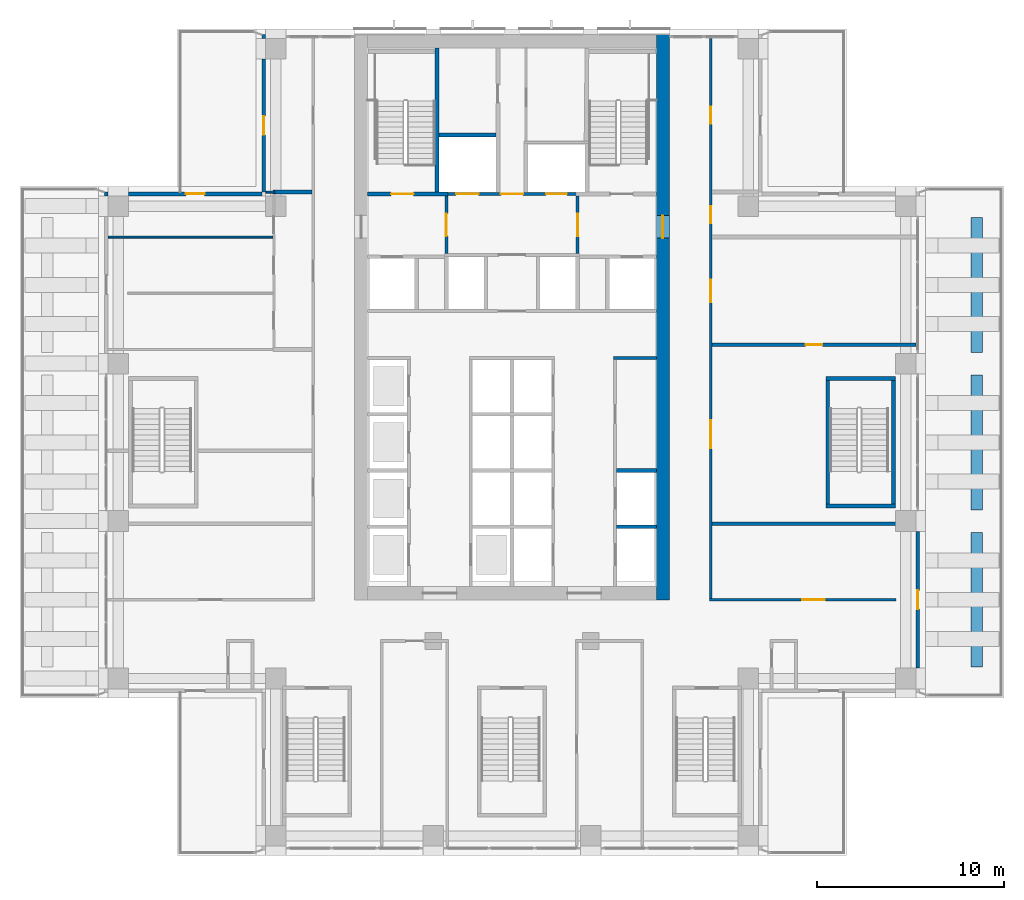
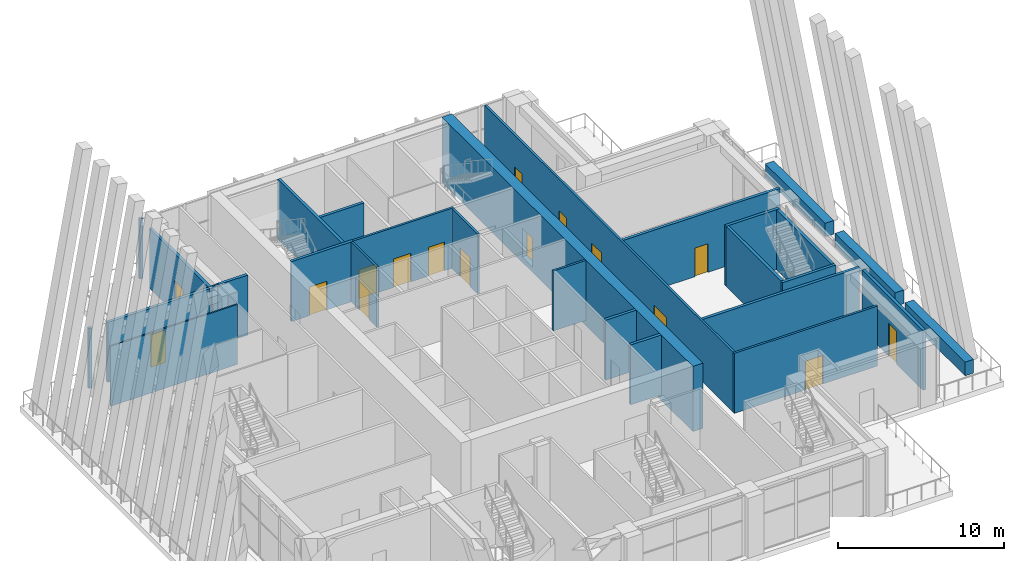
# One storey, part 11 of 19: 29 walls, 16 doors, 16 openings.
"""IFC4 building model written with IfcOpenShell, lengths in metres."""

from ifc_helpers import new_model, si_unit, direction, frame, frame_2d, origin, place, context, subcontext, project, spatial, rectangle, extrude, material, layer, layer_set, type_object, element, fill, save


model = new_model("IFC4")

# Units and contexts
model_context = context("Model", 3, precision=1e-05, world=origin(), true_north=direction((0.0, 1.0)))
body_context = subcontext(model_context, "Body", "Model", "MODEL_VIEW")
ifc_project = project(units=[si_unit("LENGTHUNIT", "METRE"), si_unit("AREAUNIT", "SQUARE_METRE"), si_unit("VOLUMEUNIT", "CUBIC_METRE"), si_unit("PLANEANGLEUNIT", "RADIAN"), si_unit("MASSUNIT", "GRAM", prefix="KILO")], contexts=[model_context])

# Site, building, storey
site_placement = place(None, origin())
site = spatial("IfcSite", under=ifc_project, at=site_placement, CompositionType="ELEMENT")
building_placement = place(site_placement, origin())
building = spatial("IfcBuilding", under=site, at=building_placement, Name="Vermilion Ogive Tower", CompositionType="ELEMENT")
storey_placement = place(building_placement, frame((0.0, 0.0, 128.300048828125)))
storey = spatial("IfcBuildingStorey", under=building, at=storey_placement, Name="L32", CompositionType="ELEMENT", Elevation=128.300048828125)

# Walls
ifc_material_1 = material(Name="Gypsum board partition on steel studs", Category="steel")
ifc_layer_1 = layer(ifc_material_1, 0.10009765625)
ifc_layer_set_1 = layer_set([ifc_layer_1], Name="Partition 100 bath")
wall_type_1 = type_object("IfcWallType", Name="Partition 100 bath", PredefinedType="PARTITIONING", material=ifc_layer_set_1)
wall_1_placement = place(storey_placement, frame((-21.550048828125, 10.949951171875, 0.0), z_axis=(0.0, 0.0, 1.0), x_axis=(1.0, 0.0, 0.0)))
element("IfcWall", 1, at=wall_1_placement, inside=storey, type_object=wall_type_1, Name="L32-FS-W-W015", PredefinedType="PARTITIONING", context=body_context, shape_type="SweptSolid", body=[
    extrude(rectangle(XDim=8.800048828125, YDim=0.10009765625, at=frame_2d((4.39990234375, 0.0))), origin(), (0.0, 0.0, 1.0), 4.39990234375),
])
wall_2_placement = place(storey_placement, frame((-13.14990234375, 13.35009765625, 0.0), z_axis=(0.0, 0.0, 1.0), x_axis=(1.0, 0.0, 0.0)))
element("IfcWall", 2, at=wall_2_placement, inside=storey, type_object=wall_type_1, Name="L32-FS-W-W017", PredefinedType="PARTITIONING", context=body_context, shape_type="SweptSolid", body=[
    extrude(rectangle(XDim=0.5, YDim=0.10009765625, at=frame_2d((0.25, 0.0))), origin(), (0.0, 0.0, 1.0), 4.39990234375),
])

# Wall, opening, door
ifc_material_2 = material(Name="Gypsum board partition on steel studs", Category="steel")
ifc_layer_2 = layer(ifc_material_2, 0.14990234375)
ifc_layer_set_2 = layer_set([ifc_layer_2], Name="Partition 150 corridor")
wall_type_2 = type_object("IfcWallType", Name="Partition 150 corridor", PredefinedType="PARTITIONING", material=ifc_layer_set_2)
wall_3_placement = place(storey_placement, frame((10.52490234375, -8.39990234375, 0.0), z_axis=(0.0, 0.0, 1.0), x_axis=(1.0, 0.0, 0.0)))
wall_3 = element("IfcWall", 3, at=wall_3_placement, inside=storey, type_object=wall_type_2, Name="L32-FS-W-W006", PredefinedType="PARTITIONING", context=body_context, shape_type="SweptSolid", body=[
    extrude(rectangle(XDim=9.9501953125, YDim=0.14990234375, at=frame_2d((4.97509765625, 0.0))), origin(), (0.0, 0.0, 1.0), 4.39990234375),
])
opening_1_placement = place(wall_3_placement, frame((4.9501953125, 0.0, 0.0)))
opening_1 = element("IfcOpeningElement", 4, at=opening_1_placement, cuts=wall_3, Name="Opening L32S002", PredefinedType="OPENING", context=body_context, shape_type="SweptSolid", body=[
    extrude(rectangle(XDim=1.199951171875, YDim=2.10009765625, at=frame_2d((0.60009765625, 1.050048828125))), frame((0.0, 0.0849609375, 0.0), z_axis=(0.0, -1.0, 0.0), x_axis=(1.0, 0.0, 0.0)), (0.0, 0.0, 1.0), 0.169921875),
])
ifc_material_3 = material(Name="Timber door leaf", Category="wood")
door_type_1 = type_object("IfcDoorType", Name="Fire door 1200 x 2100 FD30", OperationType="SINGLE_SWING_LEFT", PredefinedType="DOOR", material=ifc_material_3)
door_1_placement = place(opening_1_placement, origin())
door_1 = element("IfcDoor", 5, at=door_1_placement, inside=storey, type_object=door_type_1, Name="L32-FS-D-D002", OperationType="SINGLE_SWING_LEFT", OverallHeight=2.10009765625, OverallWidth=1.199951171875, PredefinedType="DOOR", context=body_context, shape_type="SweptSolid", body=[
    extrude(rectangle(XDim=1.199951171875, YDim=2.10009765625, at=frame_2d((0.60009765625, 1.050048828125))), frame((0.0, 0.02490234375, 0.0), z_axis=(0.0, -1.0, 0.0), x_axis=(1.0, 0.0, 0.0)), (0.0, 0.0, 1.0), 0.050048828125),
])
fill(opening_1, door_1)

# Wall, openings, doors
wall_4_placement = place(storey_placement, frame((10.60009765625, -8.324951171875, 0.0), z_axis=(0.0, 0.0, 1.0), x_axis=(0.0, 1.0, 0.0)))
wall_4 = element("IfcWall", 6, at=wall_4_placement, inside=storey, type_object=wall_type_2, Name="L32-FS-W-W028", PredefinedType="PARTITIONING", context=body_context, shape_type="SweptSolid", body=[
    extrude(rectangle(XDim=29.875, YDim=0.14990234375, at=frame_2d((14.9375, 0.0))), origin(), (0.0, 0.0, 1.0), 4.39990234375),
])
opening_2_placement = place(wall_4_placement, frame((8.005859375, 0.0, 0.0)))
opening_2 = element("IfcOpeningElement", 7, at=opening_2_placement, cuts=wall_4, Name="Opening L32S009", PredefinedType="OPENING", context=body_context, shape_type="SweptSolid", body=[
    extrude(rectangle(XDim=1.5, YDim=2.10009765625, at=frame_2d((0.75, 1.050048828125))), frame((0.0, 0.0849609375, 0.0), z_axis=(0.0, -1.0, 0.0), x_axis=(1.0, 0.0, 0.0)), (0.0, 0.0, 1.0), 0.169921875),
])
opening_3_placement = place(wall_4_placement, frame((15.805908203125, 0.0, 0.0)))
opening_3 = element("IfcOpeningElement", 8, at=opening_3_placement, cuts=wall_4, Name="Opening L32S011", PredefinedType="OPENING", context=body_context, shape_type="SweptSolid", body=[
    extrude(rectangle(XDim=1.199951171875, YDim=2.10009765625, at=frame_2d((0.60009765625, 1.050048828125))), frame((0.0, 0.0849609375, 0.0), z_axis=(0.0, -1.0, 0.0), x_axis=(1.0, 0.0, 0.0)), (0.0, 0.0, 1.0), 0.169921875),
])
opening_4_placement = place(wall_4_placement, frame((20.02490234375, 0.0, 0.0)))
opening_4 = element("IfcOpeningElement", 9, at=opening_4_placement, cuts=wall_4, Name="Opening L32S012", PredefinedType="OPENING", context=body_context, shape_type="SweptSolid", body=[
    extrude(rectangle(XDim=0.89990234375, YDim=2.10009765625, at=frame_2d((0.449951171875, 1.050048828125))), frame((0.0, 0.0849609375, 0.0), z_axis=(0.0, -1.0, 0.0), x_axis=(1.0, 0.0, 0.0)), (0.0, 0.0, 1.0), 0.169921875),
])
opening_5_placement = place(wall_4_placement, frame((25.324951171875, 0.0, 0.0)))
opening_5 = element("IfcOpeningElement", 10, at=opening_5_placement, cuts=wall_4, Name="Opening L32S017", PredefinedType="OPENING", context=body_context, shape_type="SweptSolid", body=[
    extrude(rectangle(XDim=0.89990234375, YDim=2.10009765625, at=frame_2d((0.449951171875, 1.050048828125))), frame((0.0, 0.0849609375, 0.0), z_axis=(0.0, -1.0, 0.0), x_axis=(1.0, 0.0, 0.0)), (0.0, 0.0, 1.0), 0.169921875),
])
ifc_material_4 = material(Name="Timber door leaf", Category="wood")
door_type_2 = type_object("IfcDoorType", Name="Assembly door 1500 x 2100 FD30", OperationType="DOUBLE_DOOR_SINGLE_SWING", PredefinedType="DOOR", material=ifc_material_4)
door_2_placement = place(opening_2_placement, origin())
door_2 = element("IfcDoor", 11, at=door_2_placement, inside=storey, type_object=door_type_2, Name="L32-FS-D-D009", OperationType="DOUBLE_DOOR_SINGLE_SWING", OverallHeight=2.10009765625, OverallWidth=1.5, PredefinedType="DOOR", context=body_context, shape_type="SweptSolid", body=[
    extrude(rectangle(XDim=1.5, YDim=2.10009765625, at=frame_2d((0.75, 1.050048828125))), frame((0.0, 0.02490234375, 0.0), z_axis=(0.0, -1.0, 0.0), x_axis=(1.0, 0.0, 0.0)), (0.0, 0.0, 1.0), 0.050048828125),
])
fill(opening_2, door_2)
ifc_material_5 = material(Name="Timber door leaf", Category="wood")
door_type_3 = type_object("IfcDoorType", Name="Room door 1200 x 2100 FD30", OperationType="SINGLE_SWING_LEFT", PredefinedType="DOOR", material=ifc_material_5)
door_3_placement = place(opening_3_placement, origin())
door_3 = element("IfcDoor", 12, at=door_3_placement, inside=storey, type_object=door_type_3, Name="L32-FS-D-D011", OperationType="SINGLE_SWING_RIGHT", OverallHeight=2.10009765625, OverallWidth=1.199951171875, PredefinedType="DOOR", context=body_context, shape_type="SweptSolid", body=[
    extrude(rectangle(XDim=1.199951171875, YDim=2.10009765625, at=frame_2d((0.60009765625, 1.050048828125))), frame((0.0, 0.02490234375, 0.0), z_axis=(0.0, -1.0, 0.0), x_axis=(1.0, 0.0, 0.0)), (0.0, 0.0, 1.0), 0.050048828125),
])
fill(opening_3, door_3)
ifc_material_6 = material(Name="Timber door leaf", Category="wood")
door_type_4 = type_object("IfcDoorType", Name="Room door 900 x 2100 FD30", OperationType="SINGLE_SWING_LEFT", PredefinedType="DOOR", material=ifc_material_6)
door_4_placement = place(opening_4_placement, origin())
door_4 = element("IfcDoor", 13, at=door_4_placement, inside=storey, type_object=door_type_4, Name="L32-FS-D-D012", OperationType="SINGLE_SWING_LEFT", OverallHeight=2.10009765625, OverallWidth=0.89990234375, PredefinedType="DOOR", context=body_context, shape_type="SweptSolid", body=[
    extrude(rectangle(XDim=0.89990234375, YDim=2.10009765625, at=frame_2d((0.449951171875, 1.050048828125))), frame((0.0, 0.02490234375, 0.0), z_axis=(0.0, -1.0, 0.0), x_axis=(1.0, 0.0, 0.0)), (0.0, 0.0, 1.0), 0.050048828125),
])
fill(opening_4, door_4)
door_5_placement = place(opening_5_placement, origin())
door_5 = element("IfcDoor", 14, at=door_5_placement, inside=storey, type_object=door_type_4, Name="L32-FS-D-D017", OperationType="SINGLE_SWING_RIGHT", OverallHeight=2.10009765625, OverallWidth=0.89990234375, PredefinedType="DOOR", context=body_context, shape_type="SweptSolid", body=[
    extrude(rectangle(XDim=0.89990234375, YDim=2.10009765625, at=frame_2d((0.449951171875, 1.050048828125))), frame((0.0, 0.02490234375, 0.0), z_axis=(0.0, -1.0, 0.0), x_axis=(1.0, 0.0, 0.0)), (0.0, 0.0, 1.0), 0.050048828125),
])
fill(opening_5, door_5)

# Wall
wall_5_placement = place(storey_placement, frame((5.425048828125, 4.5, 0.0), z_axis=(0.0, 0.0, 1.0), x_axis=(1.0, 0.0, 0.0)))
element("IfcWall", 15, at=wall_5_placement, inside=storey, type_object=wall_type_2, Name="L32-CK-W-W011", PredefinedType="PARTITIONING", context=body_context, shape_type="SweptSolid", body=[
    extrude(rectangle(XDim=2.27392578125, YDim=0.14990234375, at=frame_2d((1.136962890625, 0.0))), origin(), (0.0, 0.0, 1.0), 4.39990234375),
])

# Wall, openings, doors
wall_6_placement = place(storey_placement, frame((-3.574951171875, 13.25, 0.0), z_axis=(0.0, 0.0, 1.0), x_axis=(1.0, 0.0, 0.0)))
wall_6 = element("IfcWall", 16, at=wall_6_placement, inside=storey, type_object=wall_type_2, Name="L32-CK-W-W017", PredefinedType="PARTITIONING", context=body_context, shape_type="SweptSolid", body=[
    extrude(rectangle(XDim=7.14990234375, YDim=0.14990234375, at=frame_2d((3.574951171875, 0.0))), origin(), (0.0, 0.0, 1.0), 4.39990234375),
])
opening_6_placement = place(wall_6_placement, frame((0.599853515625, 0.0, 0.0)))
opening_6 = element("IfcOpeningElement", 17, at=opening_6_placement, cuts=wall_6, Name="Opening DAN025", PredefinedType="OPENING", context=body_context, shape_type="SweptSolid", body=[
    extrude(rectangle(XDim=1.199951171875, YDim=2.10009765625, at=frame_2d((0.60009765625, 1.050048828125))), frame((0.0, 0.0849609375, 0.0), z_axis=(0.0, -1.0, 0.0), x_axis=(1.0, 0.0, 0.0)), (0.0, 0.0, 1.0), 0.169921875),
])
opening_7_placement = place(wall_6_placement, frame((5.39990234375, 0.0, 0.0)))
opening_7 = element("IfcOpeningElement", 18, at=opening_7_placement, cuts=wall_6, Name="Opening DAN016", PredefinedType="OPENING", context=body_context, shape_type="SweptSolid", body=[
    extrude(rectangle(XDim=1.10009765625, YDim=2.10009765625, at=frame_2d((0.550048828125, 1.050048828125))), frame((0.0, 0.0849609375, 0.0), z_axis=(0.0, -1.0, 0.0), x_axis=(1.0, 0.0, 0.0)), (0.0, 0.0, 1.0), 0.169921875),
])
opening_8_placement = place(wall_6_placement, frame((2.974853515625, 0.0, 0.0)))
opening_8 = element("IfcOpeningElement", 19, at=opening_8_placement, cuts=wall_6, Name="Opening DAN005", PredefinedType="OPENING", context=body_context, shape_type="SweptSolid", body=[
    extrude(rectangle(XDim=1.199951171875, YDim=2.10009765625, at=frame_2d((0.60009765625, 1.050048828125))), frame((0.0, 0.0849609375, 0.0), z_axis=(0.0, -1.0, 0.0), x_axis=(1.0, 0.0, 0.0)), (0.0, 0.0, 1.0), 0.169921875),
])
ifc_material_7 = material(Name="Stainless steel", Category="steel")
door_type_5 = type_object("IfcDoorType", Name="Lift landing door 1100 x 2100", OperationType="SLIDING_TO_LEFT", PredefinedType="DOOR", material=ifc_material_7)
door_6_placement = place(opening_7_placement, origin())
door_6 = element("IfcDoor", 20, at=door_6_placement, inside=storey, type_object=door_type_5, Name="L32-CK-D-D020", OperationType="SLIDING_TO_LEFT", OverallHeight=2.10009765625, OverallWidth=1.10009765625, PredefinedType="DOOR", context=body_context, shape_type="SweptSolid", body=[
    extrude(rectangle(XDim=1.10009765625, YDim=2.10009765625, at=frame_2d((0.550048828125, 1.050048828125))), frame((0.0, 0.02490234375, 0.0), z_axis=(0.0, -1.0, 0.0), x_axis=(1.0, 0.0, 0.0)), (0.0, 0.0, 1.0), 0.050048828125),
])
fill(opening_7, door_6)
ifc_material_8 = material(Name="Stainless steel", Category="steel")
door_type_6 = type_object("IfcDoorType", Name="Lift landing door 1200 x 2100", OperationType="SLIDING_TO_LEFT", PredefinedType="DOOR", material=ifc_material_8)
door_7_placement = place(opening_6_placement, origin())
door_7 = element("IfcDoor", 21, at=door_7_placement, inside=storey, type_object=door_type_6, Name="L32-CK-D-D019", OperationType="SLIDING_TO_RIGHT", OverallHeight=2.10009765625, OverallWidth=1.199951171875, PredefinedType="DOOR", context=body_context, shape_type="SweptSolid", body=[
    extrude(rectangle(XDim=1.199951171875, YDim=2.10009765625, at=frame_2d((0.60009765625, 1.050048828125))), frame((0.0, 0.02490234375, 0.0), z_axis=(0.0, -1.0, 0.0), x_axis=(1.0, 0.0, 0.0)), (0.0, 0.0, 1.0), 0.050048828125),
])
fill(opening_6, door_7)
ifc_material_9 = material(Name="Timber door leaf", Category="wood")
door_type_7 = type_object("IfcDoorType", Name="Service door 1200 x 2100 FD60", OperationType="SINGLE_SWING_LEFT", PredefinedType="DOOR", material=ifc_material_9)
door_8_placement = place(opening_8_placement, origin())
door_8 = element("IfcDoor", 22, at=door_8_placement, inside=storey, type_object=door_type_7, Name="L32-CK-D-D021", OperationType="SINGLE_SWING_RIGHT", OverallHeight=2.10009765625, OverallWidth=1.199951171875, PredefinedType="DOOR", context=body_context, shape_type="SweptSolid", body=[
    extrude(rectangle(XDim=1.199951171875, YDim=2.10009765625, at=frame_2d((0.60009765625, 1.050048828125))), frame((0.0, 0.02490234375, 0.0), z_axis=(0.0, -1.0, 0.0), x_axis=(1.0, 0.0, 0.0)), (0.0, 0.0, 1.0), 0.050048828125),
])
fill(opening_8, door_8)

# Wall, opening, door
wall_7_placement = place(storey_placement, frame((-3.5, 10.074951171875, 0.0), z_axis=(0.0, 0.0, 1.0), x_axis=(0.0, 1.0, 0.0)))
wall_7 = element("IfcWall", 23, at=wall_7_placement, inside=storey, type_object=wall_type_2, Name="L32-CK-W-W025", PredefinedType="PARTITIONING", context=body_context, shape_type="SweptSolid", body=[
    extrude(rectangle(XDim=3.074951171875, YDim=0.14990234375, at=frame_2d((1.53759765625, 0.0))), origin(), (0.0, 0.0, 1.0), 4.39990234375),
])
opening_9_placement = place(wall_7_placement, frame((0.925048828125, 0.0, 0.0)))
opening_9 = element("IfcOpeningElement", 24, at=opening_9_placement, cuts=wall_7, Name="Opening DAN001", PredefinedType="OPENING", context=body_context, shape_type="SweptSolid", body=[
    extrude(rectangle(XDim=1.199951171875, YDim=2.10009765625, at=frame_2d((0.60009765625, 1.050048828125))), frame((0.0, 0.0849609375, 0.0), z_axis=(0.0, -1.0, 0.0), x_axis=(1.0, 0.0, 0.0)), (0.0, 0.0, 1.0), 0.169921875),
])
ifc_material_10 = material(Name="Timber door leaf", Category="wood")
door_type_8 = type_object("IfcDoorType", Name="Lobby door 1200 x 2100 FD60S", OperationType="SINGLE_SWING_LEFT", PredefinedType="DOOR", material=ifc_material_10)
door_9_placement = place(opening_9_placement, origin())
door_9 = element("IfcDoor", 25, at=door_9_placement, inside=storey, type_object=door_type_8, Name="L32-CK-D-D024", OperationType="SINGLE_SWING_RIGHT", OverallHeight=2.10009765625, OverallWidth=1.199951171875, PredefinedType="DOOR", context=body_context, shape_type="SweptSolid", body=[
    extrude(rectangle(XDim=1.199951171875, YDim=2.10009765625, at=frame_2d((0.60009765625, 1.050048828125))), frame((0.0, 0.02490234375, 0.0), z_axis=(0.0, -1.0, 0.0), x_axis=(1.0, 0.0, 0.0)), (0.0, 0.0, 1.0), 0.050048828125),
])
fill(opening_9, door_9)

wall_8_placement = place(storey_placement, frame((3.5, 10.074951171875, 0.0), z_axis=(0.0, 0.0, 1.0), x_axis=(0.0, 1.0, 0.0)))
wall_8 = element("IfcWall", 26, at=wall_8_placement, inside=storey, type_object=wall_type_2, Name="L32-CK-W-W035", PredefinedType="PARTITIONING", context=body_context, shape_type="SweptSolid", body=[
    extrude(rectangle(XDim=3.074951171875, YDim=0.14990234375, at=frame_2d((1.53759765625, 0.0))), origin(), (0.0, 0.0, 1.0), 4.39990234375),
])
opening_10_placement = place(wall_8_placement, frame((0.925048828125, 0.0, 0.0)))
opening_10 = element("IfcOpeningElement", 27, at=opening_10_placement, cuts=wall_8, Name="Opening DAN002", PredefinedType="OPENING", context=body_context, shape_type="SweptSolid", body=[
    extrude(rectangle(XDim=1.199951171875, YDim=2.10009765625, at=frame_2d((0.60009765625, 1.050048828125))), frame((0.0, 0.0849609375, 0.0), z_axis=(0.0, -1.0, 0.0), x_axis=(1.0, 0.0, 0.0)), (0.0, 0.0, 1.0), 0.169921875),
])
door_10_placement = place(opening_10_placement, origin())
door_10 = element("IfcDoor", 28, at=door_10_placement, inside=storey, type_object=door_type_8, Name="L32-CK-D-D025", OperationType="SINGLE_SWING_LEFT", OverallHeight=2.10009765625, OverallWidth=1.199951171875, PredefinedType="DOOR", context=body_context, shape_type="SweptSolid", body=[
    extrude(rectangle(XDim=1.199951171875, YDim=2.10009765625, at=frame_2d((0.60009765625, 1.050048828125))), frame((0.0, 0.02490234375, 0.0), z_axis=(0.0, -1.0, 0.0), x_axis=(1.0, 0.0, 0.0)), (0.0, 0.0, 1.0), 0.050048828125),
])
fill(opening_10, door_10)

# Wall
ifc_material_11 = material(Name="Gypsum board partition on steel studs", Category="steel")
ifc_layer_3 = layer(ifc_material_11, 0.199951171875)
ifc_layer_set_3 = layer_set([ifc_layer_3], Name="Partition 200 party")
wall_type_3 = type_object("IfcWallType", Name="Partition 200 party", PredefinedType="PARTITIONING", material=ifc_layer_set_3)
wall_9_placement = place(storey_placement, frame((10.675048828125, -4.35009765625, 0.0), z_axis=(0.0, 0.0, 1.0), x_axis=(1.0, 0.0, 0.0)))
element("IfcWall", 29, at=wall_9_placement, inside=storey, type_object=wall_type_3, Name="L32-FS-W-W008", PredefinedType="PARTITIONING", context=body_context, shape_type="SweptSolid", body=[
    extrude(rectangle(XDim=10.875, YDim=0.199951171875, at=frame_2d((5.4375, 0.0))), origin(), (0.0, 0.0, 1.0), 4.39990234375),
])

# Wall, opening, door
wall_10_placement = place(storey_placement, frame((10.675048828125, 5.2119140625, 0.0), z_axis=(0.0, 0.0, 1.0), x_axis=(1.0, 0.0, 0.0)))
wall_10 = element("IfcWall", 30, at=wall_10_placement, inside=storey, type_object=wall_type_3, Name="L32-FS-W-W013", PredefinedType="PARTITIONING", context=body_context, shape_type="SweptSolid", body=[
    extrude(rectangle(XDim=10.875, YDim=0.199951171875, at=frame_2d((5.4375, 0.0))), origin(), (0.0, 0.0, 1.0), 4.39990234375),
])
opening_11_placement = place(wall_10_placement, frame((4.987548828125, 0.0, 0.0)))
opening_11 = element("IfcOpeningElement", 31, at=opening_11_placement, cuts=wall_10, Name="Opening L32S010", PredefinedType="OPENING", context=body_context, shape_type="SweptSolid", body=[
    extrude(rectangle(XDim=0.89990234375, YDim=2.10009765625, at=frame_2d((0.449951171875, 1.050048828125))), frame((0.0, 0.10986328125, 0.0), z_axis=(0.0, -1.0, 0.0), x_axis=(1.0, 0.0, 0.0)), (0.0, 0.0, 1.0), 0.219970703125),
])
door_11_placement = place(opening_11_placement, origin())
door_11 = element("IfcDoor", 32, at=door_11_placement, inside=storey, type_object=door_type_4, Name="L32-FS-D-D010", OperationType="SINGLE_SWING_RIGHT", OverallHeight=2.10009765625, OverallWidth=0.89990234375, PredefinedType="DOOR", context=body_context, shape_type="SweptSolid", body=[
    extrude(rectangle(XDim=0.89990234375, YDim=2.10009765625, at=frame_2d((0.449951171875, 1.050048828125))), frame((0.0, 0.02490234375, 0.0), z_axis=(0.0, -1.0, 0.0), x_axis=(1.0, 0.0, 0.0)), (0.0, 0.0, 1.0), 0.050048828125),
])
fill(opening_11, door_11)

# Walls
wall_11_placement = place(storey_placement, frame((-12.75, 13.35009765625, 0.0), z_axis=(0.0, 0.0, 1.0), x_axis=(1.0, 0.0, 0.0)))
element("IfcWall", 33, at=wall_11_placement, inside=storey, type_object=wall_type_3, Name="L32-FS-W-W018", PredefinedType="PARTITIONING", context=body_context, shape_type="SweptSolid", body=[
    extrude(rectangle(XDim=2.074951171875, YDim=0.199951171875, at=frame_2d((1.03759765625, 0.0))), origin(), (0.0, 0.0, 1.0), 4.39990234375),
])
for number, where, z_axis, x_axis, name in (
    (34, (5.574951171875, -4.5, 0.0), (0.0, 0.0, 1.0), (1.0, 0.0, 0.0), "L32-CK-W-W003"),
    (35, (5.574951171875, -1.5, 0.0), (0.0, 0.0, 1.0), (1.0, 0.0, 0.0), "L32-CK-W-W006"),
):
    element("IfcWall", number, at=place(storey_placement, frame(where, z_axis=z_axis, x_axis=x_axis)), inside=storey, type_object=wall_type_3, Name=name, PredefinedType="PARTITIONING", context=body_context, shape_type="SweptSolid", body=[
        extrude(rectangle(XDim=2.1240234375, YDim=0.199951171875, at=frame_2d((1.06201171875, 0.0))), origin(), (0.0, 0.0, 1.0), 4.39990234375),
    ])
wall_12_placement = place(storey_placement, frame((-3.89990234375, 16.39990234375, 0.0), z_axis=(0.0, 0.0, 1.0), x_axis=(1.0, 0.0, 0.0)))
element("IfcWall", 36, at=wall_12_placement, inside=storey, type_object=wall_type_3, Name="L32-CK-W-W020", PredefinedType="PARTITIONING", context=body_context, shape_type="SweptSolid", body=[
    extrude(rectangle(XDim=3.0498046875, YDim=0.199951171875, at=frame_2d((1.52490234375, 0.0))), origin(), (0.0, 0.0, 1.0), 4.39990234375),
])

# Wall, opening, door
ifc_material_12 = material(Name="Concrete B60", Category="concrete")
ifc_layer_4 = layer(ifc_material_12, 0.199951171875)
ifc_layer_set_4 = layer_set([ifc_layer_4], Name="Stair shaft wall 200 Concrete B60")
wall_type_4 = type_object("IfcWallType", Name="Stair shaft wall 200 Concrete B60", PredefinedType="SOLIDWALL", material=ifc_layer_set_4)
wall_13_placement = place(storey_placement, frame((8.050048828125, -8.39990234375, -0.400146484375), z_axis=(0.0, 0.0, 1.0), x_axis=(0.0, 1.0, 0.0)))
wall_13 = element("IfcWall", 37, at=wall_13_placement, inside=storey, type_object=wall_type_4, Name="L32-CORE-E", PredefinedType="SOLIDWALL", context=body_context, shape_type="SweptSolid", body=[
    extrude(rectangle(XDim=30.14990234375, YDim=0.699951171875, at=frame_2d((15.074951171875, 0.0))), origin(), (0.0, 0.0, 1.0), 4.800048828125),
])
opening_12_placement = place(wall_13_placement, frame((19.300048828125, 0.0, 0.39990234375)))
opening_12 = element("IfcOpeningElement", 38, at=opening_12_placement, cuts=wall_13, Name="Opening DCB001", PredefinedType="OPENING", context=body_context, shape_type="SweptSolid", body=[
    extrude(rectangle(XDim=1.199951171875, YDim=2.10009765625, at=frame_2d((0.60009765625, 1.050048828125))), frame((0.0, 0.35986328125, 0.0), z_axis=(0.0, -1.0, 0.0), x_axis=(1.0, 0.0, 0.0)), (0.0, 0.0, 1.0), 0.719970703125),
])
ifc_material_13 = material(Name="Timber door leaf", Category="wood")
door_type_9 = type_object("IfcDoorType", Name="Link door 1200 x 2100 FD60S", OperationType="SINGLE_SWING_LEFT", PredefinedType="DOOR", material=ifc_material_13)
door_12_placement = place(opening_12_placement, origin())
door_12 = element("IfcDoor", 39, at=door_12_placement, inside=storey, type_object=door_type_9, Name="L32-CK-XD4", OperationType="SINGLE_SWING_LEFT", OverallHeight=2.10009765625, OverallWidth=1.199951171875, PredefinedType="DOOR", context=body_context, shape_type="SweptSolid", body=[
    extrude(rectangle(XDim=1.199951171875, YDim=2.10009765625, at=frame_2d((0.60009765625, 1.050048828125))), frame((0.0, 0.02490234375, 0.0), z_axis=(0.0, -1.0, 0.0), x_axis=(1.0, 0.0, 0.0)), (0.0, 0.0, 1.0), 0.050048828125),
])
fill(opening_12, door_12)

wall_14_placement = place(storey_placement, frame((-7.698974609375, 13.25, 0.0), z_axis=(0.0, 0.0, 1.0), x_axis=(1.0, 0.0, 0.0)))
wall_14 = element("IfcWall", 40, at=wall_14_placement, inside=storey, type_object=wall_type_4, Name="L32-CK-W-W016", PredefinedType="SOLIDWALL", context=body_context, shape_type="SweptSolid", body=[
    extrude(rectangle(XDim=4.27392578125, YDim=0.199951171875, at=frame_2d((2.136962890625, 0.0))), origin(), (0.0, 0.0, 1.0), 4.39990234375),
])
opening_13_placement = place(wall_14_placement, frame((1.2490234375, 0.0, 0.0)))
opening_13 = element("IfcOpeningElement", 41, at=opening_13_placement, cuts=wall_14, Name="Opening DAN009", PredefinedType="OPENING", context=body_context, shape_type="SweptSolid", body=[
    extrude(rectangle(XDim=1.199951171875, YDim=2.10009765625, at=frame_2d((0.60009765625, 1.050048828125))), frame((0.0, 0.10986328125, 0.0), z_axis=(0.0, -1.0, 0.0), x_axis=(1.0, 0.0, 0.0)), (0.0, 0.0, 1.0), 0.219970703125),
])
ifc_material_14 = material(Name="Timber door leaf", Category="wood")
door_type_10 = type_object("IfcDoorType", Name="Stair door 1200 x 2100 FD60S", OperationType="SINGLE_SWING_LEFT", PredefinedType="DOOR", material=ifc_material_14)
door_13_placement = place(opening_13_placement, origin())
door_13 = element("IfcDoor", 42, at=door_13_placement, inside=storey, type_object=door_type_10, Name="L32-CK-D-D013", OperationType="SINGLE_SWING_LEFT", OverallHeight=2.10009765625, OverallWidth=1.199951171875, PredefinedType="DOOR", context=body_context, shape_type="SweptSolid", body=[
    extrude(rectangle(XDim=1.199951171875, YDim=2.10009765625, at=frame_2d((0.60009765625, 1.050048828125))), frame((0.0, 0.02490234375, 0.0), z_axis=(0.0, -1.0, 0.0), x_axis=(1.0, 0.0, 0.0)), (0.0, 0.0, 1.0), 0.050048828125),
])
fill(opening_13, door_13)

# Walls
wall_15_placement = place(storey_placement, frame((-4.0, 13.35009765625, 0.0), z_axis=(0.0, 0.0, 1.0), x_axis=(0.0, 1.0, 0.0)))
element("IfcWall", 43, at=wall_15_placement, inside=storey, type_object=wall_type_4, Name="L32-CK-W-W023", PredefinedType="SOLIDWALL", context=body_context, shape_type="SweptSolid", body=[
    extrude(rectangle(XDim=7.698974609375, YDim=0.199951171875, at=frame_2d((3.849609375, 0.0))), origin(), (0.0, 0.0, 1.0), 4.39990234375),
])
for number, where, z_axis, x_axis, name in (
    (44, (16.75, -3.39990234375, 0.0), (0.0, 0.0, 1.0), (1.0, 0.0, 0.0), "L32-SW-ST8-S1"),
    (45, (16.75, 3.39990234375, 0.0), (0.0, 0.0, 1.0), (1.0, 0.0, 0.0), "L32-SW-ST8-N1"),
):
    element("IfcWall", number, at=place(storey_placement, frame(where, z_axis=z_axis, x_axis=x_axis)), inside=storey, type_object=wall_type_4, Name=name, PredefinedType="SOLIDWALL", context=body_context, shape_type="SweptSolid", body=[
        extrude(rectangle(XDim=3.699951171875, YDim=0.199951171875, at=frame_2d((1.85009765625, 0.0))), origin(), (0.0, 0.0, 1.0), 4.39990234375),
    ])
for number, where, z_axis, x_axis, name in (
    (46, (16.85009765625, -3.300048828125, 0.0), (0.0, 0.0, 1.0), (0.0, 1.0, 0.0), "L32-SW-ST8-W1"),
    (47, (20.35009765625, -3.300048828125, 0.0), (0.0, 0.0, 1.0), (0.0, 1.0, 0.0), "L32-SW-ST8-E1"),
):
    element("IfcWall", number, at=place(storey_placement, frame(where, z_axis=z_axis, x_axis=x_axis)), inside=storey, type_object=wall_type_4, Name=name, PredefinedType="SOLIDWALL", context=body_context, shape_type="SweptSolid", body=[
        extrude(rectangle(XDim=6.60009765625, YDim=0.199951171875, at=frame_2d((3.300048828125, 0.0))), origin(), (0.0, 0.0, 1.0), 4.39990234375),
    ])
ifc_material_15 = material(Name="Concrete B40", Category="concrete")
ifc_layer_5 = layer(ifc_material_15, 0.60009765625)
ifc_layer_set_5 = layer_set([ifc_layer_5], Name="Terrace planter")
wall_type_5 = type_object("IfcWallType", Name="Terrace planter", PredefinedType="USERDEFINED", material=ifc_layer_set_5)
wall_16_placement = place(storey_placement, frame((24.800048828125, 12.0, 0.0), z_axis=(0.0, 0.0, 1.0), x_axis=(0.0, -1.0, 0.0)))
element("IfcWall", 48, at=wall_16_placement, inside=storey, type_object=wall_type_5, Name="Terrace planter 5.1.1", ObjectType="PLANTER", PredefinedType="USERDEFINED", context=body_context, shape_type="SweptSolid", body=[
    extrude(rectangle(XDim=7.199951171875, YDim=0.60009765625, at=frame_2d((3.60009765625, 0.0))), origin(), (0.0, 0.0, 1.0), 1.0),
])
wall_17_placement = place(storey_placement, frame((24.800048828125, 3.60009765625, 0.0), z_axis=(0.0, 0.0, 1.0), x_axis=(0.0, -1.0, 0.0)))
element("IfcWall", 49, at=wall_17_placement, inside=storey, type_object=wall_type_5, Name="Terrace planter 5.1.2", ObjectType="PLANTER", PredefinedType="USERDEFINED", context=body_context, shape_type="SweptSolid", body=[
    extrude(rectangle(XDim=7.2001953125, YDim=0.60009765625, at=frame_2d((3.60009765625, 0.0))), origin(), (0.0, 0.0, 1.0), 1.0),
])
wall_18_placement = place(storey_placement, frame((24.800048828125, -4.800048828125, 0.0), z_axis=(0.0, 0.0, 1.0), x_axis=(0.0, -1.0, 0.0)))
element("IfcWall", 50, at=wall_18_placement, inside=storey, type_object=wall_type_5, Name="Terrace planter 5.1.3", ObjectType="PLANTER", PredefinedType="USERDEFINED", context=body_context, shape_type="SweptSolid", body=[
    extrude(rectangle(XDim=7.199951171875, YDim=0.60009765625, at=frame_2d((3.60009765625, 0.0))), origin(), (0.0, 0.0, 1.0), 1.0),
])

# Wall, opening, door
ifc_material_16 = material(Name="Aluminium window wall framing", Category="aluminium")
ifc_layer_6 = layer(ifc_material_16, 0.199951171875)
ifc_layer_set_6 = layer_set([ifc_layer_6], Name="Window wall")
wall_type_6 = type_object("IfcWallType", Name="Window wall", PredefinedType="STANDARD", material=ifc_layer_set_6)
wall_19_placement = place(storey_placement, frame((21.64990234375, -12.050048828125, 0.0), z_axis=(0.0, 0.0, 1.0), x_axis=(0.0, 1.0, 0.0)))
wall_19 = element("IfcWall", 51, at=wall_19_placement, inside=storey, type_object=wall_type_6, Name="Window wall E1", PredefinedType="STANDARD", context=body_context, shape_type="SweptSolid", body=[
    extrude(rectangle(XDim=7.300048828125, YDim=0.199951171875, at=frame_2d((3.64990234375, 0.0))), origin(), (0.0, 0.0, 1.0), 4.39990234375),
])
opening_14_placement = place(wall_19_placement, frame((3.14990234375, 0.0, 0.0)))
opening_14 = element("IfcOpeningElement", 52, at=opening_14_placement, cuts=wall_19, Name="Opening D1-EX", PredefinedType="OPENING", context=body_context, shape_type="SweptSolid", body=[
    extrude(rectangle(XDim=1.0, YDim=2.39990234375, at=frame_2d((0.5, 1.199951171875))), frame((0.0, 0.10986328125, 0.0), z_axis=(0.0, -1.0, 0.0), x_axis=(1.0, 0.0, 0.0)), (0.0, 0.0, 1.0), 0.219970703125),
])
ifc_material_17 = material(Name="Aluminium framed glazed door", Category="aluminium")
door_type_11 = type_object("IfcDoorType", Name="Balcony door D1", OperationType="SINGLE_SWING_LEFT", PredefinedType="DOOR", material=ifc_material_17)
door_14_placement = place(opening_14_placement, origin())
door_14 = element("IfcDoor", 53, at=door_14_placement, inside=storey, type_object=door_type_11, Name="Terrace door EX", OperationType="SINGLE_SWING_LEFT", OverallHeight=2.39990234375, OverallWidth=1.0, PredefinedType="DOOR", context=body_context, shape_type="SweptSolid", body=[
    extrude(rectangle(XDim=1.0, YDim=2.39990234375, at=frame_2d((0.5, 1.199951171875))), frame((0.0, 0.02490234375, 0.0), z_axis=(0.0, -1.0, 0.0), x_axis=(1.0, 0.0, 0.0)), (0.0, 0.0, 1.0), 0.050048828125),
])
fill(opening_14, door_14)

# Wall
wall_20_placement = place(storey_placement, frame((-13.14990234375, 21.64990234375, 0.0), z_axis=(0.0, 0.0, 1.0), x_axis=(-1.0, 0.0, 0.0)))
element("IfcWall", 54, at=wall_20_placement, inside=storey, type_object=wall_type_6, Name="Window wall N22", PredefinedType="STANDARD", context=body_context, shape_type="SweptSolid", body=[
    extrude(rectangle(XDim=0.2001953125, YDim=0.199951171875, at=frame_2d((0.10009765625, 0.0))), origin(), (0.0, 0.0, 1.0), 4.39990234375),
])

# Wall, opening, door
wall_21_placement = place(storey_placement, frame((-13.25, 20.449951171875, 0.0), z_axis=(0.0, 0.0, 1.0), x_axis=(0.0, -1.0, 0.0)))
wall_21 = element("IfcWall", 55, at=wall_21_placement, inside=storey, type_object=wall_type_6, Name="Window wall X51", PredefinedType="STANDARD", context=body_context, shape_type="SweptSolid", body=[
    extrude(rectangle(XDim=7.099853515625, YDim=0.199951171875, at=frame_2d((3.5498046875, 0.0))), origin(), (0.0, 0.0, 1.0), 4.39990234375),
])
opening_15_placement = place(wall_21_placement, frame((3.050048828125, 0.0, 0.0)))
opening_15 = element("IfcOpeningElement", 56, at=opening_15_placement, cuts=wall_21, Name="Opening D1-X5X", PredefinedType="OPENING", context=body_context, shape_type="SweptSolid", body=[
    extrude(rectangle(XDim=1.0, YDim=2.39990234375, at=frame_2d((0.5, 1.199951171875))), frame((0.0, 0.10986328125, 0.0), z_axis=(0.0, -1.0, 0.0), x_axis=(1.0, 0.0, 0.0)), (0.0, 0.0, 1.0), 0.219970703125),
])
door_15_placement = place(opening_15_placement, origin())
door_15 = element("IfcDoor", 57, at=door_15_placement, inside=storey, type_object=door_type_11, Name="Terrace door X5X", OperationType="SINGLE_SWING_LEFT", OverallHeight=2.39990234375, OverallWidth=1.0, PredefinedType="DOOR", context=body_context, shape_type="SweptSolid", body=[
    extrude(rectangle(XDim=1.0, YDim=2.39990234375, at=frame_2d((0.5, 1.199951171875))), frame((0.0, 0.02490234375, 0.0), z_axis=(0.0, -1.0, 0.0), x_axis=(1.0, 0.0, 0.0)), (0.0, 0.0, 1.0), 0.050048828125),
])
fill(opening_15, door_15)

wall_22_placement = place(storey_placement, frame((-13.35009765625, 13.25, 0.0), z_axis=(0.0, 0.0, 1.0), x_axis=(-1.0, 0.0, 0.0)))
wall_22 = element("IfcWall", 58, at=wall_22_placement, inside=storey, type_object=wall_type_6, Name="Window wall X61", PredefinedType="STANDARD", context=body_context, shape_type="SweptSolid", body=[
    extrude(rectangle(XDim=7.099853515625, YDim=0.199951171875, at=frame_2d((3.5498046875, 0.0))), origin(), (0.0, 0.0, 1.0), 4.39990234375),
])
opening_16_placement = place(wall_22_placement, frame((3.050048828125, 0.0, 0.0)))
opening_16 = element("IfcOpeningElement", 59, at=opening_16_placement, cuts=wall_22, Name="Opening D1-X6X", PredefinedType="OPENING", context=body_context, shape_type="SweptSolid", body=[
    extrude(rectangle(XDim=1.0, YDim=2.39990234375, at=frame_2d((0.5, 1.199951171875))), frame((0.0, 0.10986328125, 0.0), z_axis=(0.0, -1.0, 0.0), x_axis=(1.0, 0.0, 0.0)), (0.0, 0.0, 1.0), 0.219970703125),
])
door_16_placement = place(opening_16_placement, origin())
door_16 = element("IfcDoor", 60, at=door_16_placement, inside=storey, type_object=door_type_11, Name="Terrace door X6X", OperationType="SINGLE_SWING_LEFT", OverallHeight=2.39990234375, OverallWidth=1.0, PredefinedType="DOOR", context=body_context, shape_type="SweptSolid", body=[
    extrude(rectangle(XDim=1.0, YDim=2.39990234375, at=frame_2d((0.5, 1.199951171875))), frame((0.0, 0.02490234375, 0.0), z_axis=(0.0, -1.0, 0.0), x_axis=(1.0, 0.0, 0.0)), (0.0, 0.0, 1.0), 0.050048828125),
])
fill(opening_16, door_16)

# Wall
wall_23_placement = place(storey_placement, frame((-21.550048828125, 13.25, 0.0), z_axis=(0.0, 0.0, 1.0), x_axis=(-1.0, 0.0, 0.0)))
element("IfcWall", 61, at=wall_23_placement, inside=storey, type_object=wall_type_6, Name="Window wall X62", PredefinedType="STANDARD", context=body_context, shape_type="SweptSolid", body=[
    extrude(rectangle(XDim=0.199951171875, YDim=0.199951171875, at=frame_2d((0.10009765625, 0.0))), origin(), (0.0, 0.0, 1.0), 4.39990234375),
])

save(model, "model.ifc")
